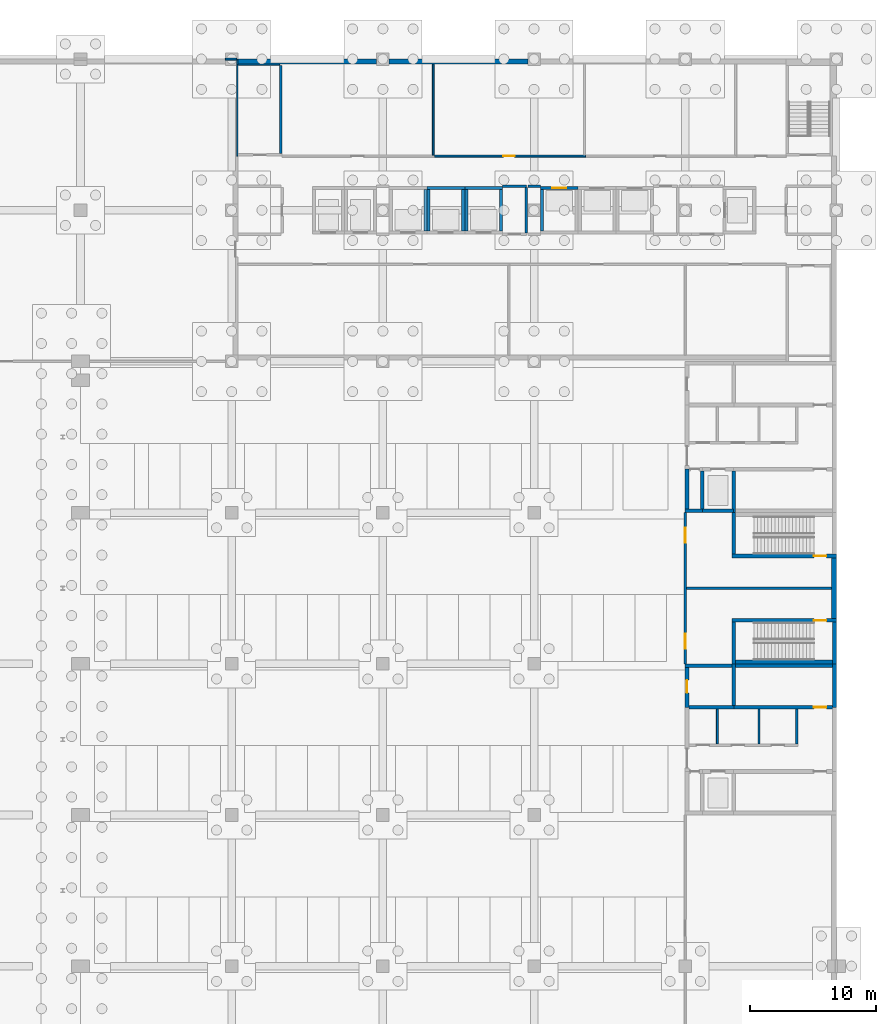
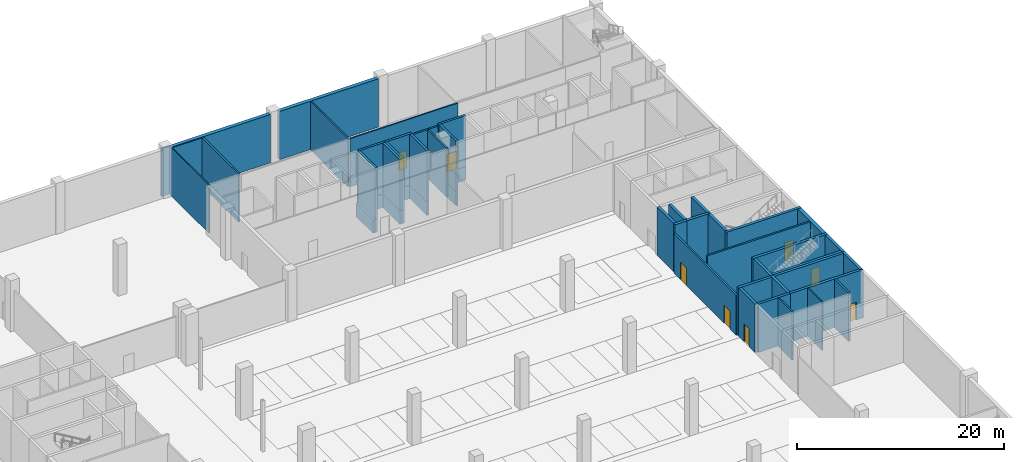
# One storey, part 26 of 34: 52 walls, 8 doors, 8 openings.
"""IFC4 building model written with IfcOpenShell, lengths in metres."""

from ifc_helpers import new_model, si_unit, direction, frame, frame_2d, origin, place, context, subcontext, project, spatial, rectangle, extrude, material, layer, layer_set, type_object, element, fill, save


model = new_model("IFC4")

# Units and contexts
model_context = context("Model", 3, precision=1e-05, world=origin(), true_north=direction((0.0, 1.0)))
body_context = subcontext(model_context, "Body", "Model", "MODEL_VIEW")
ifc_project = project(units=[si_unit("LENGTHUNIT", "METRE"), si_unit("AREAUNIT", "SQUARE_METRE"), si_unit("VOLUMEUNIT", "CUBIC_METRE"), si_unit("PLANEANGLEUNIT", "RADIAN"), si_unit("MASSUNIT", "GRAM", prefix="KILO")], contexts=[model_context])

# Site, building, storey
site_placement = place(None, origin())
site = spatial("IfcSite", under=ifc_project, at=site_placement, CompositionType="ELEMENT")
building_placement = place(site_placement, origin())
building = spatial("IfcBuilding", under=site, at=building_placement, Name="Lilac Gate Convention Centre", CompositionType="ELEMENT")
storey_placement = place(building_placement, frame((0.0, 0.0, -6.0)))
storey = spatial("IfcBuildingStorey", under=building, at=storey_placement, Name="B1", CompositionType="ELEMENT", Elevation=-6.0)

# Walls
ifc_material_1 = material(Name="Concrete C35", Category="concrete")
ifc_layer_1 = layer(ifc_material_1, 0.39990234375)
ifc_layer_set_1 = layer_set([ifc_layer_1], Name="Concrete C35")
wall_type_1 = type_object("IfcWallType", Name="Basement wall 400 C35", PredefinedType="SOLIDWALL", material=ifc_layer_set_1)
wall_1_placement = place(storey_placement, frame((89.800048828125, 201.60009765625, 0.0), z_axis=(0.0, 0.0, 1.0), x_axis=(0.0, 1.0, 0.0)))
element("IfcWall", 1, at=wall_1_placement, inside=storey, type_object=wall_type_1, Name="SW2 basement wall 6 at 8/G", PredefinedType="SOLIDWALL", context=body_context, shape_type="SweptSolid", body=[
    extrude(rectangle(XDim=4.7998046875, YDim=0.39990234375, at=frame_2d((2.39990234375, 0.0))), origin(), (0.0, 0.0, 1.0), 5.699951171875),
])
for number, where, z_axis, x_axis, name in (
    (2, (42.5, 245.800048828125, 0.0), (0.0, 0.0, 1.0), (1.0, 0.0, 0.0), "SW2 basement wall 4 at 1/U"),
    (3, (54.5, 245.800048828125, 0.0), (0.0, 0.0, 1.0), (1.0, 0.0, 0.0), "SW2 basement wall 5 at 1/U"),
):
    element("IfcWall", number, at=place(storey_placement, frame(where, z_axis=z_axis, x_axis=x_axis)), inside=storey, type_object=wall_type_1, Name=name, PredefinedType="SOLIDWALL", context=body_context, shape_type="SweptSolid", body=[
        extrude(rectangle(XDim=11.0, YDim=0.39990234375, at=frame_2d((5.5, 0.0))), origin(), (0.0, 0.0, 1.0), 5.699951171875),
    ])
ifc_material_2 = material(Name="Concrete C60", Category="concrete")
ifc_layer_2 = layer(ifc_material_2, 0.10009765625)
ifc_layer_set_2 = layer_set([ifc_layer_2], Name="Concrete C60")
wall_type_2 = type_object("IfcWallType", Name="Core wall 100 C60", PredefinedType="SHEAR", material=ifc_layer_set_2)
wall_2_placement = place(storey_placement, frame((42.449951171875, 238.300048828125, 0.0), z_axis=(0.0, 0.0, 1.0), x_axis=(0.0, 1.0, 0.0)))
element("IfcWall", 4, at=wall_2_placement, inside=storey, type_object=wall_type_2, Name="CRW8 core wall TS-WX B1 1", PredefinedType="SHEAR", context=body_context, shape_type="SweptSolid", body=[
    extrude(rectangle(XDim=7.699951171875, YDim=0.10009765625, at=frame_2d((3.85009765625, 0.0))), origin(), (0.0, 0.0, 1.0), 5.699951171875),
])
wall_3_placement = place(storey_placement, frame((42.5, 245.550048828125, 0.0), z_axis=(0.0, 0.0, 1.0), x_axis=(1.0, 0.0, 0.0)))
element("IfcWall", 5, at=wall_3_placement, inside=storey, type_object=wall_type_2, Name="CRW8 core wall TS-WX B1 2", PredefinedType="SHEAR", context=body_context, shape_type="SweptSolid", body=[
    extrude(rectangle(XDim=3.300048828125, YDim=0.10009765625, at=frame_2d((1.64990234375, 0.0))), origin(), (0.0, 0.0, 1.0), 5.699951171875),
])
ifc_layer_3 = layer(ifc_material_2, 0.199951171875)
ifc_layer_set_3 = layer_set([ifc_layer_3], Name="Concrete C60")
wall_type_3 = type_object("IfcWallType", Name="Core wall 200 C60", PredefinedType="SHEAR", material=ifc_layer_set_3)
wall_4_placement = place(storey_placement, frame((45.89990234375, 238.5, 0.0), z_axis=(0.0, 0.0, 1.0), x_axis=(0.0, 1.0, 0.0)))
element("IfcWall", 6, at=wall_4_placement, inside=storey, type_object=wall_type_3, Name="CRW2 core wall TS-W B1 2", PredefinedType="SHEAR", context=body_context, shape_type="SweptSolid", body=[
    extrude(rectangle(XDim=7.0, YDim=0.199951171875, at=frame_2d((3.5, 0.0))), origin(), (0.0, 0.0, 1.0), 5.699951171875),
])
ifc_layer_4 = layer(ifc_material_2, 0.25)
ifc_layer_set_4 = layer_set([ifc_layer_4], Name="Concrete C60")
wall_type_4 = type_object("IfcWallType", Name="Core wall 250 C60", PredefinedType="SHEAR", material=ifc_layer_set_4)
wall_5_placement = place(storey_placement, frame((57.5, 235.77490234375, 0.0), z_axis=(0.0, 0.0, 1.0), x_axis=(1.0, 0.0, 0.0)))
element("IfcWall", 7, at=wall_5_placement, inside=storey, type_object=wall_type_4, Name="CRW3 core wall TC B1 6", PredefinedType="SHEAR", context=body_context, shape_type="SweptSolid", body=[
    extrude(rectangle(XDim=3.0, YDim=0.25, at=frame_2d((1.5, 0.0))), origin(), (0.0, 0.0, 1.0), 6.0),
])
for number, where, z_axis, x_axis, name in (
    (8, (57.625, 232.35009765625, 0.0), (0.0, 0.0, 1.0), (0.0, 1.0, 0.0), "CRW3 core wall TC B1 7"),
    (9, (60.375, 232.35009765625, 0.0), (0.0, 0.0, 1.0), (0.0, 1.0, 0.0), "CRW3 core wall TC B1 8"),
):
    element("IfcWall", number, at=place(storey_placement, frame(where, z_axis=z_axis, x_axis=x_axis)), inside=storey, type_object=wall_type_4, Name=name, PredefinedType="SHEAR", context=body_context, shape_type="SweptSolid", body=[
        extrude(rectangle(XDim=3.2998046875, YDim=0.25, at=frame_2d((1.64990234375, 0.0))), origin(), (0.0, 0.0, 1.0), 6.0),
    ])
wall_6_placement = place(storey_placement, frame((60.5, 235.77490234375, 0.0), z_axis=(0.0, 0.0, 1.0), x_axis=(1.0, 0.0, 0.0)))
element("IfcWall", 10, at=wall_6_placement, inside=storey, type_object=wall_type_4, Name="CRW3 core wall TC B1 10", PredefinedType="SHEAR", context=body_context, shape_type="SweptSolid", body=[
    extrude(rectangle(XDim=3.0, YDim=0.25, at=frame_2d((1.5, 0.0))), origin(), (0.0, 0.0, 1.0), 6.0),
])
for number, where, z_axis, x_axis, name in (
    (11, (60.625, 232.35009765625, 0.0), (0.0, 0.0, 1.0), (0.0, 1.0, 0.0), "CRW3 core wall TC B1 11"),
    (12, (63.375, 232.35009765625, 0.0), (0.0, 0.0, 1.0), (0.0, 1.0, 0.0), "CRW3 core wall TC B1 12"),
):
    element("IfcWall", number, at=place(storey_placement, frame(where, z_axis=z_axis, x_axis=x_axis)), inside=storey, type_object=wall_type_4, Name=name, PredefinedType="SHEAR", context=body_context, shape_type="SweptSolid", body=[
        extrude(rectangle(XDim=3.2998046875, YDim=0.25, at=frame_2d((1.64990234375, 0.0))), origin(), (0.0, 0.0, 1.0), 6.0),
    ])

# Wall, opening, door
wall_7_placement = place(storey_placement, frame((66.5, 235.77490234375, 0.0), z_axis=(0.0, 0.0, 1.0), x_axis=(1.0, 0.0, 0.0)))
wall_7 = element("IfcWall", 13, at=wall_7_placement, inside=storey, type_object=wall_type_4, Name="CRW3 core wall TC B1 14", PredefinedType="SHEAR", context=body_context, shape_type="SweptSolid", body=[
    extrude(rectangle(XDim=3.0, YDim=0.25, at=frame_2d((1.5, 0.0))), origin(), (0.0, 0.0, 1.0), 6.0),
])
opening_1_placement = place(wall_7_placement, frame((0.949951171875, 0.0, 0.0)))
opening_1 = element("IfcOpeningElement", 14, at=opening_1_placement, cuts=wall_7, Name="Opening TB1-018", PredefinedType="OPENING", context=body_context, shape_type="SweptSolid", body=[
    extrude(rectangle(XDim=1.10009765625, YDim=2.10009765625, at=frame_2d((0.550048828125, 1.050048828125))), frame((0.0, 0.135009765625, 0.0), z_axis=(0.0, -1.0, 0.0), x_axis=(1.0, 0.0, 0.0)), (0.0, 0.0, 1.0), 0.27001953125),
])
ifc_material_3 = material(Name="Stainless steel 304", Category="steel")
door_type_1 = type_object("IfcDoorType", Name="Lift landing door 1100", OperationType="SLIDING_TO_LEFT", PredefinedType="DOOR", material=ifc_material_3)
door_1_placement = place(opening_1_placement, origin())
door_1 = element("IfcDoor", 15, at=door_1_placement, inside=storey, type_object=door_type_1, Name="Lift landing door TP4 B1", OperationType="SLIDING_TO_LEFT", OverallHeight=2.10009765625, OverallWidth=1.10009765625, PredefinedType="DOOR", context=body_context, shape_type="SweptSolid", body=[
    extrude(rectangle(XDim=1.10009765625, YDim=2.10009765625, at=frame_2d((0.550048828125, 1.050048828125))), frame((0.0, 0.02490234375, 0.0), z_axis=(0.0, -1.0, 0.0), x_axis=(1.0, 0.0, 0.0)), (0.0, 0.0, 1.0), 0.050048828125),
])
fill(opening_1, door_1)

# Wall
wall_8_placement = place(storey_placement, frame((66.625, 232.35009765625, 0.0), z_axis=(0.0, 0.0, 1.0), x_axis=(0.0, 1.0, 0.0)))
element("IfcWall", 16, at=wall_8_placement, inside=storey, type_object=wall_type_4, Name="CRW3 core wall TC B1 15", PredefinedType="SHEAR", context=body_context, shape_type="SweptSolid", body=[
    extrude(rectangle(XDim=3.2998046875, YDim=0.25, at=frame_2d((1.64990234375, 0.0))), origin(), (0.0, 0.0, 1.0), 6.0),
])

# Wall, opening, door
ifc_material_4 = material(Name="Gypsum board on steel stud", Category="steel")
ifc_layer_5 = layer(ifc_material_4, 0.14990234375)
ifc_layer_set_5 = layer_set([ifc_layer_5], Name="Gypsum board on steel stud")
wall_type_5 = type_object("IfcWallType", Name="Corridor wall 150", PredefinedType="PARTITIONING", material=ifc_layer_set_5)
wall_9_placement = place(storey_placement, frame((58.10009765625, 238.300048828125, 0.0), z_axis=(0.0, 0.0, 1.0), x_axis=(1.0, 0.0, 0.0)))
wall_9 = element("IfcWall", 17, at=wall_9_placement, inside=storey, type_object=wall_type_5, Name="Corridor wall 150 front DST", PredefinedType="PARTITIONING", context=body_context, shape_type="SweptSolid", body=[
    extrude(rectangle(XDim=12.0, YDim=0.14990234375, at=frame_2d((6.0, 0.0))), origin(), (0.0, 0.0, 1.0), 5.699951171875),
])
opening_2_placement = place(wall_9_placement, frame((5.449951171875, 0.0, 0.0)))
opening_2 = element("IfcOpeningElement", 18, at=opening_2_placement, cuts=wall_9, Name="Opening TB1-012", PredefinedType="OPENING", context=body_context, shape_type="SweptSolid", body=[
    extrude(rectangle(XDim=0.89990234375, YDim=2.10009765625, at=frame_2d((0.449951171875, 1.050048828125))), frame((0.0, 0.0849609375, 0.0), z_axis=(0.0, -1.0, 0.0), x_axis=(1.0, 0.0, 0.0)), (0.0, 0.0, 1.0), 0.169921875),
])
ifc_material_5 = material(Name="Steel Q235B", Category="steel")
door_type_2 = type_object("IfcDoorType", Name="Riser and store door 900", OperationType="SINGLE_SWING_LEFT", PredefinedType="DOOR", material=ifc_material_5)
door_2_placement = place(opening_2_placement, origin())
door_2 = element("IfcDoor", 19, at=door_2_placement, inside=storey, type_object=door_type_2, Name="Hotel Dry Store door", OperationType="SINGLE_SWING_LEFT", OverallHeight=2.10009765625, OverallWidth=0.89990234375, PredefinedType="DOOR", context=body_context, shape_type="SweptSolid", body=[
    extrude(rectangle(XDim=0.89990234375, YDim=2.10009765625, at=frame_2d((0.449951171875, 1.050048828125))), frame((0.0, 0.02490234375, 0.0), z_axis=(0.0, -1.0, 0.0), x_axis=(1.0, 0.0, 0.0)), (0.0, 0.0, 1.0), 0.050048828125),
])
fill(opening_2, door_2)

# Walls
ifc_material_6 = material(Name="Fire-rated gypsum board on steel stud", Category="steel")
ifc_layer_6 = layer(ifc_material_6, 0.14990234375)
ifc_layer_set_6 = layer_set([ifc_layer_6], Name="Fire-rated gypsum board on steel stud")
wall_type_6 = type_object("IfcWallType", Name="Partition 150 fire-rated gypsum board EI 60", PredefinedType="PARTITIONING", material=ifc_layer_set_6)
wall_10_placement = place(storey_placement, frame((41.5, 246.0, 0.0), z_axis=(0.0, 0.0, 1.0), x_axis=(1.0, 0.0, 0.0)))
element("IfcWall", 20, at=wall_10_placement, inside=storey, type_object=wall_type_6, Name="Partition 150 fire-rated gypsum board EI 60", PredefinedType="PARTITIONING", context=body_context, shape_type="SweptSolid", body=[
    extrude(rectangle(XDim=0.89990234375, YDim=0.14990234375, at=frame_2d((0.449951171875, 0.0))), origin(), (0.0, 0.0, 1.0), 5.699951171875),
])
for number, where, z_axis, x_axis, name in (
    (21, (80.550048828125, 191.64990234375, 0.0), (0.0, 0.0, 1.0), (0.0, 1.0, 0.0), "Partition 150 fire-rated gypsum board EI 60"),
    (22, (83.85009765625, 191.64990234375, 0.0), (0.0, 0.0, 1.0), (0.0, 1.0, 0.0), "Partition 150 fire-rated gypsum board EI 60"),
):
    element("IfcWall", number, at=place(storey_placement, frame(where, z_axis=z_axis, x_axis=x_axis)), inside=storey, type_object=wall_type_6, Name=name, PredefinedType="PARTITIONING", context=body_context, shape_type="SweptSolid", body=[
        extrude(rectangle(XDim=2.75, YDim=0.14990234375, at=frame_2d((1.375, 0.0))), origin(), (0.0, 0.0, 1.0), 5.699951171875),
    ])
ifc_material_7 = material(Name="Clay brick masonry", Category="masonry")
ifc_layer_7 = layer(ifc_material_7, 0.199951171875)
ifc_layer_set_7 = layer_set([ifc_layer_7], Name="Clay brick masonry")
wall_type_7 = type_object("IfcWallType", Name="Partition 200 brick EI 60", PredefinedType="PARTITIONING", material=ifc_layer_set_7)
wall_11_placement = place(storey_placement, frame((78.10009765625, 204.0, 0.0), z_axis=(0.0, 0.0, 1.0), x_axis=(1.0, 0.0, 0.0)))
element("IfcWall", 23, at=wall_11_placement, inside=storey, type_object=wall_type_7, Name="Partition 200 brick EI 60", PredefinedType="PARTITIONING", context=body_context, shape_type="SweptSolid", body=[
    extrude(rectangle(XDim=11.5, YDim=0.199951171875, at=frame_2d((5.75, 0.0))), origin(), (0.0, 0.0, 1.0), 5.699951171875),
])

# Wall, openings, doors
wall_12_placement = place(storey_placement, frame((78.0, 198.0, 0.0), z_axis=(0.0, 0.0, 1.0), x_axis=(0.0, 1.0, 0.0)))
wall_12 = element("IfcWall", 24, at=wall_12_placement, inside=storey, type_object=wall_type_7, Name="Partition 200 brick EI 60", PredefinedType="PARTITIONING", context=body_context, shape_type="SweptSolid", body=[
    extrude(rectangle(XDim=12.0, YDim=0.199951171875, at=frame_2d((6.0, 0.0))), origin(), (0.0, 0.0, 1.0), 4.699951171875),
])
opening_3_placement = place(wall_12_placement, frame((1.199951171875, 0.0, 0.0)))
opening_3 = element("IfcOpeningElement", 25, at=opening_3_placement, cuts=wall_12, Name="Opening B1-073", PredefinedType="OPENING", context=body_context, shape_type="SweptSolid", body=[
    extrude(rectangle(XDim=1.199951171875, YDim=2.10009765625, at=frame_2d((0.60009765625, 1.050048828125))), frame((0.0, 0.10986328125, 0.0), z_axis=(0.0, -1.0, 0.0), x_axis=(1.0, 0.0, 0.0)), (0.0, 0.0, 1.0), 0.219970703125),
])
opening_4_placement = place(wall_12_placement, frame((9.60009765625, 0.0, 0.0)))
opening_4 = element("IfcOpeningElement", 26, at=opening_4_placement, cuts=wall_12, Name="Opening B1-079", PredefinedType="OPENING", context=body_context, shape_type="SweptSolid", body=[
    extrude(rectangle(XDim=1.199951171875, YDim=2.10009765625, at=frame_2d((0.60009765625, 1.050048828125))), frame((0.0, 0.10986328125, 0.0), z_axis=(0.0, -1.0, 0.0), x_axis=(1.0, 0.0, 0.0)), (0.0, 0.0, 1.0), 0.219970703125),
])
ifc_material_8 = material(Name="Timber fire door leaf", Category="wood")
door_type_3 = type_object("IfcDoorType", Name="Door 1200 x 2100 single leaf FD60", OperationType="SINGLE_SWING_LEFT", PredefinedType="DOOR", material=ifc_material_8)
door_3_placement = place(opening_3_placement, frame((1.199951171875, 0.0, 0.0), z_axis=(0.0, 0.0, 1.0), x_axis=(-1.0, 0.0, 0.0)))
door_3 = element("IfcDoor", 27, at=door_3_placement, inside=storey, type_object=door_type_3, Name="Lobby door B1-073", OperationType="SINGLE_SWING_LEFT", OverallHeight=2.10009765625, OverallWidth=1.199951171875, PredefinedType="DOOR", context=body_context, shape_type="SweptSolid", body=[
    extrude(rectangle(XDim=1.199951171875, YDim=2.10009765625, at=frame_2d((0.60009765625, 1.050048828125))), frame((0.0, 0.02490234375, 0.0), z_axis=(0.0, -1.0, 0.0), x_axis=(1.0, 0.0, 0.0)), (0.0, 0.0, 1.0), 0.050048828125),
])
fill(opening_3, door_3)
door_4_placement = place(opening_4_placement, frame((1.199951171875, 0.0, 0.0), z_axis=(0.0, 0.0, 1.0), x_axis=(-1.0, 0.0, 0.0)))
door_4 = element("IfcDoor", 28, at=door_4_placement, inside=storey, type_object=door_type_3, Name="Lobby door B1-079", OperationType="SINGLE_SWING_RIGHT", OverallHeight=2.10009765625, OverallWidth=1.199951171875, PredefinedType="DOOR", context=body_context, shape_type="SweptSolid", body=[
    extrude(rectangle(XDim=1.199951171875, YDim=2.10009765625, at=frame_2d((0.60009765625, 1.050048828125))), frame((0.0, 0.02490234375, 0.0), z_axis=(0.0, -1.0, 0.0), x_axis=(1.0, 0.0, 0.0)), (0.0, 0.0, 1.0), 0.050048828125),
])
fill(opening_4, door_4)

# Walls
wall_13_placement = place(storey_placement, frame((86.85009765625, 191.64990234375, 0.0), z_axis=(0.0, 0.0, 1.0), x_axis=(0.0, 1.0, 0.0)))
element("IfcWall", 29, at=wall_13_placement, inside=storey, type_object=wall_type_7, Name="Partition 200 brick EI 60", PredefinedType="PARTITIONING", context=body_context, shape_type="SweptSolid", body=[
    extrude(rectangle(XDim=2.75, YDim=0.199951171875, at=frame_2d((1.375, 0.0))), origin(), (0.0, 0.0, 1.0), 5.699951171875),
])
ifc_layer_8 = layer(ifc_material_4, 0.199951171875)
ifc_layer_set_8 = layer_set([ifc_layer_8], Name="Gypsum board on steel stud")
wall_type_8 = type_object("IfcWallType", Name="Riser and store wall 200", PredefinedType="PARTITIONING", material=ifc_layer_set_8)
wall_14_placement = place(storey_placement, frame((63.5, 235.89990234375, 0.0), z_axis=(0.0, 0.0, 1.0), x_axis=(1.0, 0.0, 0.0)))
element("IfcWall", 30, at=wall_14_placement, inside=storey, type_object=wall_type_8, Name="Riser and store wall 200 RS1-N", PredefinedType="PARTITIONING", context=body_context, shape_type="SweptSolid", body=[
    extrude(rectangle(XDim=1.89990234375, YDim=0.199951171875, at=frame_2d((0.949951171875, 0.0))), origin(), (0.0, 0.0, 1.0), 5.699951171875),
])
wall_15_placement = place(storey_placement, frame((65.5, 235.89990234375, 0.0), z_axis=(0.0, 0.0, 1.0), x_axis=(1.0, 0.0, 0.0)))
element("IfcWall", 31, at=wall_15_placement, inside=storey, type_object=wall_type_8, Name="Riser and store wall 200 NICHE2-N", PredefinedType="PARTITIONING", context=body_context, shape_type="SweptSolid", body=[
    extrude(rectangle(XDim=1.0, YDim=0.199951171875, at=frame_2d((0.5, 0.0))), origin(), (0.0, 0.0, 1.0), 5.699951171875),
])
wall_16_placement = place(storey_placement, frame((65.39990234375, 232.199951171875, 0.0), z_axis=(0.0, 0.0, 1.0), x_axis=(0.0, 1.0, 0.0)))
element("IfcWall", 32, at=wall_16_placement, inside=storey, type_object=wall_type_8, Name="Riser and store wall 200 RS1-E", PredefinedType="PARTITIONING", context=body_context, shape_type="SweptSolid", body=[
    extrude(rectangle(XDim=3.60009765625, YDim=0.199951171875, at=frame_2d((1.800048828125, 0.0))), origin(), (0.0, 0.0, 1.0), 5.699951171875),
])
ifc_layer_9 = layer(ifc_material_4, 0.14990234375)
ifc_layer_set_9 = layer_set([ifc_layer_9], Name="Gypsum board on steel stud")
wall_type_9 = type_object("IfcWallType", Name="Room partition 150", PredefinedType="PARTITIONING", material=ifc_layer_set_9)
wall_17_placement = place(storey_placement, frame((58.0, 245.60009765625, 0.0), z_axis=(0.0, 0.0, 1.0), x_axis=(0.0, -1.0, 0.0)))
element("IfcWall", 33, at=wall_17_placement, inside=storey, type_object=wall_type_9, Name="Room partition 150 part DST", PredefinedType="PARTITIONING", context=body_context, shape_type="SweptSolid", body=[
    extrude(rectangle(XDim=7.22509765625, YDim=0.14990234375, at=frame_2d((3.612548828125, 0.0))), origin(), (0.0, 0.0, 1.0), 5.699951171875),
])
ifc_material_9 = material(Name="Concrete C40", Category="concrete")
ifc_layer_10 = layer(ifc_material_9, 0.300048828125)
ifc_layer_set_10 = layer_set([ifc_layer_10], Name="Concrete C40")
wall_type_10 = type_object("IfcWallType", Name="Shear wall 300 C40", PredefinedType="SHEAR", material=ifc_layer_set_10)
wall_18_placement = place(storey_placement, frame((90.0, 198.14990234375, 0.0), z_axis=(0.0, 0.0, 1.0), x_axis=(-1.0, 0.0, 0.0)))
element("IfcWall", 34, at=wall_18_placement, inside=storey, type_object=wall_type_10, Name="SW1 shear wall BE3 B1 1", PredefinedType="SHEAR", context=body_context, shape_type="SweptSolid", body=[
    extrude(rectangle(XDim=8.300048828125, YDim=0.300048828125, at=frame_2d((4.14990234375, 0.0))), origin(), (0.0, 0.0, 1.0), 5.699951171875),
])

# Wall, opening, door
wall_19_placement = place(storey_placement, frame((90.0, 201.449951171875, 0.0), z_axis=(0.0, 0.0, 1.0), x_axis=(-1.0, 0.0, 0.0)))
wall_19 = element("IfcWall", 35, at=wall_19_placement, inside=storey, type_object=wall_type_10, Name="SW1 shear wall BE3 B1 2", PredefinedType="SHEAR", context=body_context, shape_type="SweptSolid", body=[
    extrude(rectangle(XDim=8.300048828125, YDim=0.300048828125, at=frame_2d((4.14990234375, 0.0))), origin(), (0.0, 0.0, 1.0), 5.699951171875),
])
opening_5_placement = place(wall_19_placement, frame((0.800048828125, 0.0, 0.0)))
opening_5 = element("IfcOpeningElement", 36, at=opening_5_placement, cuts=wall_19, Name="Opening B1-075", PredefinedType="OPENING", context=body_context, shape_type="SweptSolid", body=[
    extrude(rectangle(XDim=1.0, YDim=2.10009765625, at=frame_2d((0.5, 1.050048828125))), frame((0.0, 0.159912109375, 0.0), z_axis=(0.0, -1.0, 0.0), x_axis=(1.0, 0.0, 0.0)), (0.0, 0.0, 1.0), 0.320068359375),
])
door_type_4 = type_object("IfcDoorType", Name="Door 1000 x 2100 single leaf FD60", OperationType="SINGLE_SWING_LEFT", PredefinedType="DOOR", material=ifc_material_8)
door_5_placement = place(opening_5_placement, origin())
door_5 = element("IfcDoor", 37, at=door_5_placement, inside=storey, type_object=door_type_4, Name="Stair door B1-075", OperationType="SINGLE_SWING_RIGHT", OverallHeight=2.10009765625, OverallWidth=1.0, PredefinedType="DOOR", context=body_context, shape_type="SweptSolid", body=[
    extrude(rectangle(XDim=1.0, YDim=2.10009765625, at=frame_2d((0.5, 1.050048828125))), frame((0.0, 0.02490234375, 0.0), z_axis=(0.0, -1.0, 0.0), x_axis=(1.0, 0.0, 0.0)), (0.0, 0.0, 1.0), 0.050048828125),
])
fill(opening_5, door_5)

# Walls
for number, where, z_axis, x_axis, name in (
    (38, (89.85009765625, 198.0, 0.0), (0.0, 0.0, 1.0), (0.0, 1.0, 0.0), "SW1 shear wall BE3 B1 3"),
    (39, (81.85009765625, 198.0, 0.0), (0.0, 0.0, 1.0), (0.0, 1.0, 0.0), "SW1 shear wall BE3 B1 4"),
):
    element("IfcWall", number, at=place(storey_placement, frame(where, z_axis=z_axis, x_axis=x_axis)), inside=storey, type_object=wall_type_10, Name=name, PredefinedType="SHEAR", context=body_context, shape_type="SweptSolid", body=[
        extrude(rectangle(XDim=3.300048828125, YDim=0.300048828125, at=frame_2d((1.64990234375, 0.0))), origin(), (0.0, 0.0, 1.0), 5.699951171875),
    ])

# Wall, opening, door
wall_20_placement = place(storey_placement, frame((90.0, 206.550048828125, 0.0), z_axis=(0.0, 0.0, 1.0), x_axis=(-1.0, 0.0, 0.0)))
wall_20 = element("IfcWall", 40, at=wall_20_placement, inside=storey, type_object=wall_type_10, Name="SW1 shear wall BE4 B1 1", PredefinedType="SHEAR", context=body_context, shape_type="SweptSolid", body=[
    extrude(rectangle(XDim=8.300048828125, YDim=0.300048828125, at=frame_2d((4.14990234375, 0.0))), origin(), (0.0, 0.0, 1.0), 5.699951171875),
])
opening_6_placement = place(wall_20_placement, frame((0.800048828125, 0.0, 0.0)))
opening_6 = element("IfcOpeningElement", 41, at=opening_6_placement, cuts=wall_20, Name="Opening B1-077", PredefinedType="OPENING", context=body_context, shape_type="SweptSolid", body=[
    extrude(rectangle(XDim=1.0, YDim=2.10009765625, at=frame_2d((0.5, 1.050048828125))), frame((0.0, 0.159912109375, 0.0), z_axis=(0.0, -1.0, 0.0), x_axis=(1.0, 0.0, 0.0)), (0.0, 0.0, 1.0), 0.320068359375),
])
door_6_placement = place(opening_6_placement, frame((1.0, 0.0, 0.0), z_axis=(0.0, 0.0, 1.0), x_axis=(-1.0, 0.0, 0.0)))
door_6 = element("IfcDoor", 42, at=door_6_placement, inside=storey, type_object=door_type_4, Name="Stair door B1-077", OperationType="SINGLE_SWING_LEFT", OverallHeight=2.10009765625, OverallWidth=1.0, PredefinedType="DOOR", context=body_context, shape_type="SweptSolid", body=[
    extrude(rectangle(XDim=1.0, YDim=2.10009765625, at=frame_2d((0.5, 1.050048828125))), frame((0.0, 0.02490234375, 0.0), z_axis=(0.0, -1.0, 0.0), x_axis=(1.0, 0.0, 0.0)), (0.0, 0.0, 1.0), 0.050048828125),
])
fill(opening_6, door_6)

# Walls
wall_21_placement = place(storey_placement, frame((81.85009765625, 206.699951171875, 0.0), z_axis=(0.0, 0.0, 1.0), x_axis=(0.0, 1.0, 0.0)))
element("IfcWall", 43, at=wall_21_placement, inside=storey, type_object=wall_type_10, Name="SW1 shear wall BE4 B1 4", PredefinedType="SHEAR", context=body_context, shape_type="SweptSolid", body=[
    extrude(rectangle(XDim=3.300048828125, YDim=0.300048828125, at=frame_2d((1.64990234375, 0.0))), origin(), (0.0, 0.0, 1.0), 5.699951171875),
])
wall_22_placement = place(storey_placement, frame((90.0, 197.85009765625, 0.0), z_axis=(0.0, 0.0, 1.0), x_axis=(-1.0, 0.0, 0.0)))
element("IfcWall", 44, at=wall_22_placement, inside=storey, type_object=wall_type_10, Name="SW1 shear wall E3 B1 4", PredefinedType="SHEAR", context=body_context, shape_type="SweptSolid", body=[
    extrude(rectangle(XDim=8.14990234375, YDim=0.300048828125, at=frame_2d((4.074951171875, 0.0))), origin(), (0.0, 0.0, 1.0), 5.699951171875),
])
wall_23_placement = place(storey_placement, frame((81.85009765625, 197.85009765625, 0.0), z_axis=(0.0, 0.0, 1.0), x_axis=(-1.0, 0.0, 0.0)))
element("IfcWall", 45, at=wall_23_placement, inside=storey, type_object=wall_type_10, Name="SW1 shear wall E3 B1 5", PredefinedType="SHEAR", context=body_context, shape_type="SweptSolid", body=[
    extrude(rectangle(XDim=3.85009765625, YDim=0.300048828125, at=frame_2d((1.925048828125, 0.0))), origin(), (0.0, 0.0, 1.0), 5.699951171875),
])

# Wall, opening, door
wall_24_placement = place(storey_placement, frame((90.0, 194.550048828125, 0.0), z_axis=(0.0, 0.0, 1.0), x_axis=(-1.0, 0.0, 0.0)))
wall_24 = element("IfcWall", 46, at=wall_24_placement, inside=storey, type_object=wall_type_10, Name="SW1 shear wall E3 B1 9", PredefinedType="SHEAR", context=body_context, shape_type="SweptSolid", body=[
    extrude(rectangle(XDim=8.14990234375, YDim=0.300048828125, at=frame_2d((4.074951171875, 0.0))), origin(), (0.0, 0.0, 1.0), 5.699951171875),
])
opening_7_placement = place(wall_24_placement, frame((0.800048828125, 0.0, 0.0)))
opening_7 = element("IfcOpeningElement", 47, at=opening_7_placement, cuts=wall_24, Name="Opening B1-071", PredefinedType="OPENING", context=body_context, shape_type="SweptSolid", body=[
    extrude(rectangle(XDim=1.0, YDim=2.10009765625, at=frame_2d((0.5, 1.050048828125))), frame((0.0, 0.159912109375, 0.0), z_axis=(0.0, -1.0, 0.0), x_axis=(1.0, 0.0, 0.0)), (0.0, 0.0, 1.0), 0.320068359375),
])
door_7_placement = place(opening_7_placement, frame((1.0, 0.0, 0.0), z_axis=(0.0, 0.0, 1.0), x_axis=(-1.0, 0.0, 0.0)))
door_7 = element("IfcDoor", 48, at=door_7_placement, inside=storey, type_object=door_type_4, Name="Store door B1-071", OperationType="SINGLE_SWING_LEFT", OverallHeight=2.10009765625, OverallWidth=1.0, PredefinedType="DOOR", context=body_context, shape_type="SweptSolid", body=[
    extrude(rectangle(XDim=1.0, YDim=2.10009765625, at=frame_2d((0.5, 1.050048828125))), frame((0.0, 0.02490234375, 0.0), z_axis=(0.0, -1.0, 0.0), x_axis=(1.0, 0.0, 0.0)), (0.0, 0.0, 1.0), 0.050048828125),
])
fill(opening_7, door_7)

# Walls
wall_25_placement = place(storey_placement, frame((81.85009765625, 194.550048828125, 0.0), z_axis=(0.0, 0.0, 1.0), x_axis=(-1.0, 0.0, 0.0)))
element("IfcWall", 49, at=wall_25_placement, inside=storey, type_object=wall_type_10, Name="SW1 shear wall E3 B1 10", PredefinedType="SHEAR", context=body_context, shape_type="SweptSolid", body=[
    extrude(rectangle(XDim=3.550048828125, YDim=0.300048828125, at=frame_2d((1.77490234375, 0.0))), origin(), (0.0, 0.0, 1.0), 5.699951171875),
])
wall_26_placement = place(storey_placement, frame((89.85009765625, 194.550048828125, 0.0), z_axis=(0.0, 0.0, 1.0), x_axis=(0.0, 1.0, 0.0)))
element("IfcWall", 50, at=wall_26_placement, inside=storey, type_object=wall_type_10, Name="SW1 shear wall E3 B1 13", PredefinedType="SHEAR", context=body_context, shape_type="SweptSolid", body=[
    extrude(rectangle(XDim=3.449951171875, YDim=0.300048828125, at=frame_2d((1.72509765625, 0.0))), origin(), (0.0, 0.0, 1.0), 5.699951171875),
])

# Wall, opening, door
wall_27_placement = place(storey_placement, frame((78.14990234375, 194.550048828125, 0.0), z_axis=(0.0, 0.0, 1.0), x_axis=(0.0, 1.0, 0.0)))
wall_27 = element("IfcWall", 51, at=wall_27_placement, inside=storey, type_object=wall_type_10, Name="SW1 shear wall E3 B1 16", PredefinedType="SHEAR", context=body_context, shape_type="SweptSolid", body=[
    extrude(rectangle(XDim=3.14990234375, YDim=0.300048828125, at=frame_2d((1.574951171875, 0.0))), origin(), (0.0, 0.0, 1.0), 5.699951171875),
])
opening_8_placement = place(wall_27_placement, frame((1.14990234375, 0.0, 0.0)))
opening_8 = element("IfcOpeningElement", 52, at=opening_8_placement, cuts=wall_27, Name="Opening B1-072", PredefinedType="OPENING", context=body_context, shape_type="SweptSolid", body=[
    extrude(rectangle(XDim=1.0, YDim=2.10009765625, at=frame_2d((0.5, 1.050048828125))), frame((0.0, 0.159912109375, 0.0), z_axis=(0.0, -1.0, 0.0), x_axis=(1.0, 0.0, 0.0)), (0.0, 0.0, 1.0), 0.320068359375),
])
door_type_5 = type_object("IfcDoorType", Name="Door 1000 x 2100 single leaf FD30", OperationType="SINGLE_SWING_LEFT", PredefinedType="DOOR", material=ifc_material_8)
door_8_placement = place(opening_8_placement, frame((1.0, 0.0, 0.0), z_axis=(0.0, 0.0, 1.0), x_axis=(-1.0, 0.0, 0.0)))
door_8 = element("IfcDoor", 53, at=door_8_placement, inside=storey, type_object=door_type_5, Name="Riser access door B1-072", OperationType="SINGLE_SWING_LEFT", OverallHeight=2.10009765625, OverallWidth=1.0, PredefinedType="DOOR", context=body_context, shape_type="SweptSolid", body=[
    extrude(rectangle(XDim=1.0, YDim=2.10009765625, at=frame_2d((0.5, 1.050048828125))), frame((0.0, 0.02490234375, 0.0), z_axis=(0.0, -1.0, 0.0), x_axis=(1.0, 0.0, 0.0)), (0.0, 0.0, 1.0), 0.050048828125),
])
fill(opening_8, door_8)

# Walls
wall_28_placement = place(storey_placement, frame((81.85009765625, 194.699951171875, 0.0), z_axis=(0.0, 0.0, 1.0), x_axis=(0.0, 1.0, 0.0)))
element("IfcWall", 54, at=wall_28_placement, inside=storey, type_object=wall_type_10, Name="SW1 shear wall E3 B1 18", PredefinedType="SHEAR", context=body_context, shape_type="SweptSolid", body=[
    extrude(rectangle(XDim=3.300048828125, YDim=0.300048828125, at=frame_2d((1.64990234375, 0.0))), origin(), (0.0, 0.0, 1.0), 5.699951171875),
])
wall_29_placement = place(storey_placement, frame((81.85009765625, 210.14990234375, 0.0), z_axis=(0.0, 0.0, 1.0), x_axis=(-1.0, 0.0, 0.0)))
element("IfcWall", 55, at=wall_29_placement, inside=storey, type_object=wall_type_10, Name="SW1 shear wall E4 B1 2", PredefinedType="SHEAR", context=body_context, shape_type="SweptSolid", body=[
    extrude(rectangle(XDim=2.5, YDim=0.300048828125, at=frame_2d((1.25, 0.0))), origin(), (0.0, 0.0, 1.0), 5.699951171875),
])
wall_30_placement = place(storey_placement, frame((79.35009765625, 210.14990234375, 0.0), z_axis=(0.0, 0.0, 1.0), x_axis=(-1.0, 0.0, 0.0)))
element("IfcWall", 56, at=wall_30_placement, inside=storey, type_object=wall_type_10, Name="SW1 shear wall E4 B1 3", PredefinedType="SHEAR", context=body_context, shape_type="SweptSolid", body=[
    extrude(rectangle(XDim=1.35009765625, YDim=0.300048828125, at=frame_2d((0.675048828125, 0.0))), origin(), (0.0, 0.0, 1.0), 5.699951171875),
])
wall_31_placement = place(storey_placement, frame((78.14990234375, 210.300048828125, 0.0), z_axis=(0.0, 0.0, 1.0), x_axis=(0.0, 1.0, 0.0)))
element("IfcWall", 57, at=wall_31_placement, inside=storey, type_object=wall_type_10, Name="SW1 shear wall E4 B1 14", PredefinedType="SHEAR", context=body_context, shape_type="SweptSolid", body=[
    extrude(rectangle(XDim=3.14990234375, YDim=0.300048828125, at=frame_2d((1.574951171875, 0.0))), origin(), (0.0, 0.0, 1.0), 5.699951171875),
])
wall_32_placement = place(storey_placement, frame((81.85009765625, 210.0, 0.0), z_axis=(0.0, 0.0, 1.0), x_axis=(0.0, 1.0, 0.0)))
element("IfcWall", 58, at=wall_32_placement, inside=storey, type_object=wall_type_10, Name="SW1 shear wall E4 B1 17", PredefinedType="SHEAR", context=body_context, shape_type="SweptSolid", body=[
    extrude(rectangle(XDim=3.300048828125, YDim=0.300048828125, at=frame_2d((1.64990234375, 0.0))), origin(), (0.0, 0.0, 1.0), 5.699951171875),
])
wall_33_placement = place(storey_placement, frame((79.35009765625, 210.300048828125, 0.0), z_axis=(0.0, 0.0, 1.0), x_axis=(0.0, 1.0, 0.0)))
element("IfcWall", 59, at=wall_33_placement, inside=storey, type_object=wall_type_10, Name="SW1 shear wall E4 B1 19", PredefinedType="SHEAR", context=body_context, shape_type="SweptSolid", body=[
    extrude(rectangle(XDim=3.0, YDim=0.300048828125, at=frame_2d((1.5, 0.0))), origin(), (0.0, 0.0, 1.0), 5.699951171875),
])
ifc_layer_11 = layer(ifc_material_9, 0.25)
ifc_layer_set_11 = layer_set([ifc_layer_11], Name="Concrete C40")
wall_type_11 = type_object("IfcWallType", Name="Tower lift pit wall 250", PredefinedType="SOLIDWALL", material=ifc_layer_set_11)
wall_34_placement = place(storey_placement, frame((57.375, 232.35009765625, -1.60009765625), z_axis=(0.0, 0.0, 1.0), x_axis=(0.0, 1.0, 0.0)))
element("IfcWall", 60, at=wall_34_placement, inside=storey, type_object=wall_type_11, Name="Lift pit wall TP1", PredefinedType="SOLIDWALL", context=body_context, shape_type="SweptSolid", body=[
    extrude(rectangle(XDim=3.2998046875, YDim=0.25, at=frame_2d((1.64990234375, 0.0))), origin(), (0.0, 0.0, 1.0), 1.60009765625),
])
wall_35_placement = place(storey_placement, frame((57.5, 235.77490234375, -1.60009765625), z_axis=(0.0, 0.0, 1.0), x_axis=(1.0, 0.0, 0.0)))
element("IfcWall", 61, at=wall_35_placement, inside=storey, type_object=wall_type_11, Name="Lift pit wall TP2", PredefinedType="SOLIDWALL", context=body_context, shape_type="SweptSolid", body=[
    extrude(rectangle(XDim=3.0, YDim=0.25, at=frame_2d((1.5, 0.0))), origin(), (0.0, 0.0, 1.0), 1.60009765625),
])
for number, where, z_axis, x_axis, name in (
    (62, (57.625, 232.35009765625, -1.60009765625), (0.0, 0.0, 1.0), (0.0, 1.0, 0.0), "Lift pit wall TP2"),
    (63, (60.375, 232.35009765625, -1.60009765625), (0.0, 0.0, 1.0), (0.0, 1.0, 0.0), "Lift pit wall TP2"),
):
    element("IfcWall", number, at=place(storey_placement, frame(where, z_axis=z_axis, x_axis=x_axis)), inside=storey, type_object=wall_type_11, Name=name, PredefinedType="SOLIDWALL", context=body_context, shape_type="SweptSolid", body=[
        extrude(rectangle(XDim=3.2998046875, YDim=0.25, at=frame_2d((1.64990234375, 0.0))), origin(), (0.0, 0.0, 1.0), 1.60009765625),
    ])
wall_36_placement = place(storey_placement, frame((60.5, 235.77490234375, -1.60009765625), z_axis=(0.0, 0.0, 1.0), x_axis=(1.0, 0.0, 0.0)))
element("IfcWall", 64, at=wall_36_placement, inside=storey, type_object=wall_type_11, Name="Lift pit wall TP3", PredefinedType="SOLIDWALL", context=body_context, shape_type="SweptSolid", body=[
    extrude(rectangle(XDim=3.0, YDim=0.25, at=frame_2d((1.5, 0.0))), origin(), (0.0, 0.0, 1.0), 1.60009765625),
])
for number, where, z_axis, x_axis, name in (
    (65, (60.625, 232.35009765625, -1.60009765625), (0.0, 0.0, 1.0), (0.0, 1.0, 0.0), "Lift pit wall TP3"),
    (66, (63.375, 232.35009765625, -1.60009765625), (0.0, 0.0, 1.0), (0.0, 1.0, 0.0), "Lift pit wall TP3"),
):
    element("IfcWall", number, at=place(storey_placement, frame(where, z_axis=z_axis, x_axis=x_axis)), inside=storey, type_object=wall_type_11, Name=name, PredefinedType="SOLIDWALL", context=body_context, shape_type="SweptSolid", body=[
        extrude(rectangle(XDim=3.2998046875, YDim=0.25, at=frame_2d((1.64990234375, 0.0))), origin(), (0.0, 0.0, 1.0), 1.60009765625),
    ])
wall_37_placement = place(storey_placement, frame((66.5, 235.77490234375, -1.60009765625), z_axis=(0.0, 0.0, 1.0), x_axis=(1.0, 0.0, 0.0)))
element("IfcWall", 67, at=wall_37_placement, inside=storey, type_object=wall_type_11, Name="Lift pit wall TP4", PredefinedType="SOLIDWALL", context=body_context, shape_type="SweptSolid", body=[
    extrude(rectangle(XDim=3.0, YDim=0.25, at=frame_2d((1.5, 0.0))), origin(), (0.0, 0.0, 1.0), 1.60009765625),
])
wall_38_placement = place(storey_placement, frame((66.625, 232.35009765625, -1.60009765625), z_axis=(0.0, 0.0, 1.0), x_axis=(0.0, 1.0, 0.0)))
element("IfcWall", 68, at=wall_38_placement, inside=storey, type_object=wall_type_11, Name="Lift pit wall TP4", PredefinedType="SOLIDWALL", context=body_context, shape_type="SweptSolid", body=[
    extrude(rectangle(XDim=3.2998046875, YDim=0.25, at=frame_2d((1.64990234375, 0.0))), origin(), (0.0, 0.0, 1.0), 1.60009765625),
])

save(model, "model.ifc")
